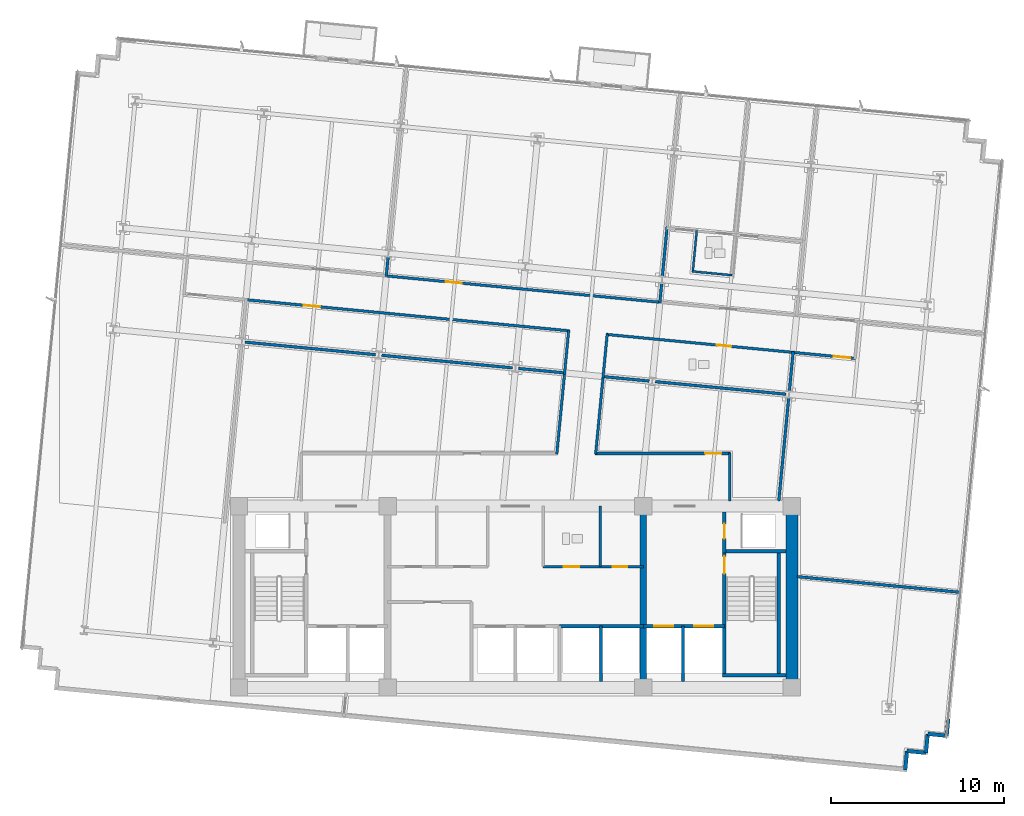
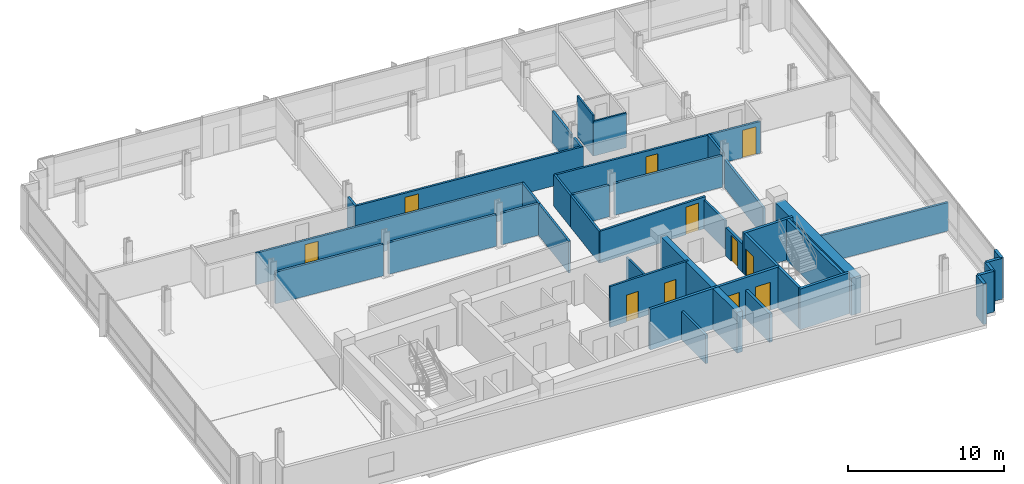
# One storey, part 11 of 16: 41 walls, 11 doors, 11 openings.
"""IFC4 building model written with IfcOpenShell, lengths in metres."""

from ifc_helpers import new_model, si_unit, direction, frame, frame_2d, origin, place, context, subcontext, project, spatial, rectangle, extrude, material, layer, layer_set, type_object, element, fill, save


model = new_model("IFC4")

# Units and contexts
model_context = context("Model", 3, precision=1e-05, world=origin(), true_north=direction((0.0, 1.0)))
body_context = subcontext(model_context, "Body", "Model", "MODEL_VIEW")
ifc_project = project(units=[si_unit("LENGTHUNIT", "METRE"), si_unit("AREAUNIT", "SQUARE_METRE"), si_unit("VOLUMEUNIT", "CUBIC_METRE"), si_unit("PLANEANGLEUNIT", "RADIAN"), si_unit("MASSUNIT", "GRAM", prefix="KILO")], contexts=[model_context])

# Site, building, storey
site_placement = place(None, origin())
site = spatial("IfcSite", under=ifc_project, at=site_placement, CompositionType="ELEMENT")
building_placement = place(site_placement, origin())
building = spatial("IfcBuilding", under=site, at=building_placement, Name="Solmavex Isthmus Hotel", CompositionType="ELEMENT")
storey_placement = place(building_placement, frame((0.0, 0.0, 166.949951171875)))
storey = spatial("IfcBuildingStorey", under=building, at=storey_placement, Name="L45", CompositionType="ELEMENT", Elevation=166.949951171875)

# Walls
ifc_material_1 = material(Name="Precast Concrete C40/50", Category="concrete")
ifc_layer_1 = layer(ifc_material_1, 0.25)
ifc_layer_set_1 = layer_set([ifc_layer_1], Name="Precast Concrete C40/50")
wall_type_1 = type_object("IfcWallType", Name="EW-TWR-250", PredefinedType="STANDARD", material=ifc_layer_set_1)
wall_1_placement = place(storey_placement, frame((25.0615234375, -14.804931640625, 0.0), z_axis=(0.0, 0.0, 1.0), x_axis=(-0.095914428506, -0.995389583231, 0.0)))
element("IfcWall", 1, at=wall_1_placement, inside=storey, type_object=wall_type_1, Name="Serrated Corner Facade Panel L45-21", PredefinedType="STANDARD", context=body_context, shape_type="SweptSolid", body=[
    extrude(rectangle(XDim=0.990234375, YDim=0.219970703125, at=frame_2d((0.4951171875, 0.0))), origin(), (0.0, 0.0, 1.0), 3.18994140625),
])
for number, where, z_axis, x_axis, name in (
    (2, (24.966552734375, -15.79052734375, 0.0), (0.0, 0.0, 1.0), (-0.995393156894, 0.095877334176, 0.0), "Serrated Corner Facade Panel L45-22"),
    (3, (23.87158203125, -15.68505859375, 0.0), (0.0, 0.0, 1.0), (-0.095877334176, -0.995393156894, 0.0), "Serrated Corner Facade Panel L45-23"),
    (4, (23.76611328125, -16.780029296875, 0.0), (0.0, 0.0, 1.0), (-0.995393156894, 0.095877334176, 0.0), "Serrated Corner Facade Panel L45-24"),
    (5, (22.671142578125, -16.674560546875, 0.0), (0.0, 0.0, 1.0), (-0.095657429048, -0.995414313875, 0.0), "Serrated Corner Facade Panel L45-25"),
):
    element("IfcWall", number, at=place(storey_placement, frame(where, z_axis=z_axis, x_axis=x_axis)), inside=storey, type_object=wall_type_1, Name=name, PredefinedType="STANDARD", context=body_context, shape_type="SweptSolid", body=[
        extrude(rectangle(XDim=1.10009765625, YDim=0.219970703125, at=frame_2d((0.550048828125, 0.0))), origin(), (0.0, 0.0, 1.0), 3.18994140625),
    ])
ifc_material_2 = material(Name="Gypsum plasterboard lining", Category="gypsum")
ifc_layer_2 = layer(ifc_material_2, 0.159912109375)
ifc_layer_set_2 = layer_set([ifc_layer_2], Name="Gypsum plasterboard lining")
wall_type_2 = type_object("IfcWallType", Name="IW-COMP-160", PredefinedType="PARTITIONING", material=ifc_layer_set_2)
for number, where, z_axis, x_axis, name in (
    (6, (-7.36865234375, 11.95849609375, 0.0), (0.0, 0.0, 1.0), (-0.095831494917, -0.995397571115, 0.0), "Interior Partition Wall W-L45-P019"),
    (7, (8.469970703125, 10.433349609375, 0.0), (0.0, 0.0, 1.0), (-0.095831494917, -0.995397571115, 0.0), "Interior Partition Wall W-L45-P023"),
):
    element("IfcWall", number, at=place(storey_placement, frame(where, z_axis=z_axis, x_axis=x_axis)), inside=storey, type_object=wall_type_2, Name=name, PredefinedType="PARTITIONING", context=body_context, shape_type="SweptSolid", body=[
        extrude(rectangle(XDim=1.171875, YDim=0.159912109375, at=frame_2d((0.5859375, 0.0))), origin(), (0.0, 0.0, 1.0), 2.4794921875),
    ])
wall_2_placement = place(storey_placement, frame((8.7822265625, 13.676513671875, 0.0), z_axis=(0.0, 0.0, 1.0), x_axis=(-0.095851667856, -0.995395628767, 0.0)))
element("IfcWall", 8, at=wall_2_placement, inside=storey, type_object=wall_type_2, Name="Interior Partition Wall W-L45-P024", PredefinedType="PARTITIONING", context=body_context, shape_type="SweptSolid", body=[
    extrude(rectangle(XDim=2.90625, YDim=0.159912109375, at=frame_2d((1.453125, 0.0))), origin(), (0.0, 0.0, 1.0), 2.4794921875),
])
wall_3_placement = place(storey_placement, frame((7.745361328125, 4.74462890625, 0.0), z_axis=(0.0, 0.0, 1.0), x_axis=(-0.995392910691, 0.095879890208, 0.0)))
element("IfcWall", 9, at=wall_3_placement, inside=storey, type_object=wall_type_2, Name="Interior Partition Wall W-L45-P039", PredefinedType="PARTITIONING", context=body_context, shape_type="SweptSolid", body=[
    extrude(rectangle(XDim=2.721923828125, YDim=0.159912109375, at=frame_2d((1.36083984375, 0.0))), origin(), (0.0, 0.0, 1.0), 2.4794921875),
])
wall_4_placement = place(storey_placement, frame((15.664794921875, 3.982177734375, 0.0), z_axis=(0.0, 0.0, 1.0), x_axis=(-0.995396667246, 0.095840882902, 0.0)))
element("IfcWall", 10, at=wall_4_placement, inside=storey, type_object=wall_type_2, Name="Interior Partition Wall W-L45-P040", PredefinedType="PARTITIONING", context=body_context, shape_type="SweptSolid", body=[
    extrude(rectangle(XDim=7.603759765625, YDim=0.159912109375, at=frame_2d((3.8017578125, 0.0))), origin(), (0.0, 0.0, 1.0), 2.4794921875),
])
wall_5_placement = place(storey_placement, frame((16.07861328125, 6.44384765625, 0.0), z_axis=(0.0, 0.0, 1.0), x_axis=(-0.095794827695, -0.995401100555, 0.0)))
element("IfcWall", 11, at=wall_5_placement, inside=storey, type_object=wall_type_2, Name="Interior Partition Wall W-L45-P041", PredefinedType="PARTITIONING", context=body_context, shape_type="SweptSolid", body=[
    extrude(rectangle(XDim=2.314208984375, YDim=0.159912109375, at=frame_2d((1.1572265625, 0.0))), origin(), (0.0, 0.0, 1.0), 2.4794921875),
])
for number, where, z_axis, x_axis, name in (
    (12, (-8.09326171875, 6.269775390625, 0.0), (0.0, 0.0, 1.0), (-0.995396962155, 0.095837819954, 0.0), "Interior Partition Wall W-L45-P042"),
    (13, (-0.173828125, 5.507080078125, 0.0), (0.0, 0.0, 1.0), (-0.995393898805, 0.095869631385, 0.0), "Interior Partition Wall W-L45-P043"),
):
    element("IfcWall", number, at=place(storey_placement, frame(where, z_axis=z_axis, x_axis=x_axis)), inside=storey, type_object=wall_type_2, Name=name, PredefinedType="PARTITIONING", context=body_context, shape_type="SweptSolid", body=[
        extrude(rectangle(XDim=7.60400390625, YDim=0.159912109375, at=frame_2d((3.802001953125, 0.0))), origin(), (0.0, 0.0, 1.0), 2.4794921875),
    ])
wall_6_placement = place(storey_placement, frame((2.885986328125, 5.212646484375, 0.0), z_axis=(0.0, 0.0, 1.0), x_axis=(-0.995401466761, 0.095791022391, 0.0)))
element("IfcWall", 14, at=wall_6_placement, inside=storey, type_object=wall_type_2, Name="Interior Partition Wall W-L45-P044", PredefinedType="PARTITIONING", context=body_context, shape_type="SweptSolid", body=[
    extrude(rectangle(XDim=2.721923828125, YDim=0.159912109375, at=frame_2d((1.36083984375, 0.0))), origin(), (0.0, 0.0, 1.0), 2.4794921875),
])
wall_7_placement = place(storey_placement, frame((15.8232421875, 3.7900390625, 0.0), z_axis=(0.0, 0.0, 1.0), x_axis=(-0.095865726078, -0.99539427493, 0.0)))
element("IfcWall", 15, at=wall_7_placement, inside=storey, type_object=wall_type_2, Name="Interior Partition Wall W-L45-P046", PredefinedType="PARTITIONING", context=body_context, shape_type="SweptSolid", body=[
    extrude(rectangle(XDim=6.007568359375, YDim=0.159912109375, at=frame_2d((3.00390625, 0.0))), origin(), (0.0, 0.0, 1.0), 2.22509765625),
])
wall_8_placement = place(storey_placement, frame((25.795654296875, -7.49169921875, 0.0), z_axis=(0.0, 0.0, 1.0), x_axis=(-0.995396487733, 0.095842747294, 0.0)))
element("IfcWall", 16, at=wall_8_placement, inside=storey, type_object=wall_type_2, Name="Interior Partition Wall W-L45-P049", PredefinedType="PARTITIONING", context=body_context, shape_type="SweptSolid", body=[
    extrude(rectangle(XDim=9.529541015625, YDim=0.159912109375, at=frame_2d((4.7646484375, 0.0))), origin(), (0.0, 0.0, 1.0), 2.22509765625),
])

# Wall, openings, doors
ifc_layer_3 = layer(ifc_material_2, 0.14990234375)
ifc_layer_set_3 = layer_set([ifc_layer_3], Name="Gypsum plasterboard lining")
wall_type_3 = type_object("IfcWallType", Name="IW-CORR-150", PredefinedType="PARTITIONING", material=ifc_layer_set_3)
wall_9_placement = place(storey_placement, frame((1.60009765625, -6.0, 0.0), z_axis=(0.0, 0.0, 1.0), x_axis=(1.0, 0.0, 0.0)))
wall_9 = element("IfcWall", 17, at=wall_9_placement, inside=storey, type_object=wall_type_3, Name="Interior Partition Wall W-L45-BOH-ES", PredefinedType="PARTITIONING", context=body_context, shape_type="SweptSolid", body=[
    extrude(rectangle(XDim=5.7998046875, YDim=0.14990234375, at=frame_2d((2.89990234375, 0.0))), origin(), (0.0, 0.0, 1.0), 3.18994140625),
])
opening_1_placement = place(wall_9_placement, frame((1.199951171875, 0.0, 0.0)))
opening_1 = element("IfcOpeningElement", 18, at=opening_1_placement, cuts=wall_9, Name="Opening ID-C090", PredefinedType="OPENING", context=body_context, shape_type="SweptSolid", body=[
    extrude(rectangle(XDim=0.89990234375, YDim=2.10009765625, at=frame_2d((0.449951171875, 1.050048828125))), frame((0.0, 0.0849609375, 0.0), z_axis=(0.0, -1.0, 0.0), x_axis=(1.0, 0.0, 0.0)), (0.0, 0.0, 1.0), 0.169921875),
])
opening_2_placement = place(wall_9_placement, frame((4.02490234375, 0.0, 0.0)))
opening_2 = element("IfcOpeningElement", 19, at=opening_2_placement, cuts=wall_9, Name="Opening ID-R085", PredefinedType="OPENING", context=body_context, shape_type="SweptSolid", body=[
    extrude(rectangle(XDim=0.85009765625, YDim=2.050048828125, at=frame_2d((0.425048828125, 1.02490234375))), frame((0.0, 0.0849609375, 0.0), z_axis=(0.0, -1.0, 0.0), x_axis=(1.0, 0.0, 0.0)), (0.0, 0.0, 1.0), 0.169921875),
])
ifc_material_3 = material(Name="Steel ASTM A500 Grade C", Category="steel")
door_type_1 = type_object("IfcDoorType", Name="IDR-FD60-0850", OperationType="NOTDEFINED", PredefinedType="DOOR", material=ifc_material_3)
door_1_placement = place(opening_2_placement, frame((0.85009765625, 0.0, 0.0), z_axis=(0.0, 0.0, 1.0), x_axis=(-1.0, 0.0, 0.0)))
door_1 = element("IfcDoor", 20, at=door_1_placement, inside=storey, type_object=door_type_1, Name="IT Room Door L45", OperationType="SINGLE_SWING_RIGHT", OverallHeight=2.050048828125, OverallWidth=0.85009765625, PredefinedType="DOOR", context=body_context, shape_type="SweptSolid", body=[
    extrude(rectangle(XDim=0.85009765625, YDim=2.050048828125, at=frame_2d((0.425048828125, 1.02490234375))), frame((0.0, 0.02490234375, 0.0), z_axis=(0.0, -1.0, 0.0), x_axis=(1.0, 0.0, 0.0)), (0.0, 0.0, 1.0), 0.050048828125),
])
fill(opening_2, door_1)
ifc_material_4 = material(Name="Hardwood timber", Category="wood")
door_type_2 = type_object("IfcDoorType", Name="IDR-FD60-0900", OperationType="NOTDEFINED", PredefinedType="DOOR", material=ifc_material_4)
door_2_placement = place(opening_1_placement, frame((0.89990234375, 0.0, 0.0), z_axis=(0.0, 0.0, 1.0), x_axis=(-1.0, 0.0, 0.0)))
door_2 = element("IfcDoor", 21, at=door_2_placement, inside=storey, type_object=door_type_2, Name="Staff Restroom Door L45", OperationType="SINGLE_SWING_LEFT", OverallHeight=2.10009765625, OverallWidth=0.89990234375, PredefinedType="DOOR", context=body_context, shape_type="SweptSolid", body=[
    extrude(rectangle(XDim=0.89990234375, YDim=2.10009765625, at=frame_2d((0.449951171875, 1.050048828125))), frame((0.0, 0.02490234375, 0.0), z_axis=(0.0, -1.0, 0.0), x_axis=(1.0, 0.0, 0.0)), (0.0, 0.0, 1.0), 0.050048828125),
])
fill(opening_1, door_2)

# Wall, opening, door
wall_10_placement = place(storey_placement, frame((-7.558837890625, 10.839599609375, 0.0), z_axis=(0.0, 0.0, 1.0), x_axis=(0.995396443768, -0.095843203903, 0.0)))
wall_10 = element("IfcWall", 22, at=wall_10_placement, inside=storey, type_object=wall_type_3, Name="Interior Partition Wall W-L45-P002", PredefinedType="PARTITIONING", context=body_context, shape_type="SweptSolid", body=[
    extrude(rectangle(XDim=16.075927734375, YDim=0.14990234375, at=frame_2d((8.0380859375, 0.0))), origin(), (0.0, 0.0, 1.0), 2.4794921875),
])
opening_3_placement = place(wall_10_placement, frame((3.531982421875, 0.0, 0.0)))
opening_3 = element("IfcOpeningElement", 23, at=opening_3_placement, cuts=wall_10, Name="Opening ID-C095", PredefinedType="OPENING", context=body_context, shape_type="SweptSolid", body=[
    extrude(rectangle(XDim=0.949951171875, YDim=2.14990234375, at=frame_2d((0.47509765625, 1.074951171875))), frame((0.0, 0.0849609375, 0.0), z_axis=(0.0, -1.0, 0.0), x_axis=(1.0, 0.0, 0.0)), (0.0, 0.0, 1.0), 0.169921875),
])
door_type_3 = type_object("IfcDoorType", Name="IDR-FD60-0950", OperationType="NOTDEFINED", PredefinedType="DOOR", material=ifc_material_4)
door_3_placement = place(opening_3_placement, frame((0.949951171875, 0.0, 0.0), z_axis=(0.0, 0.0, 1.0), x_axis=(-1.0, 0.0, 0.0)))
door_3 = element("IfcDoor", 24, at=door_3_placement, inside=storey, type_object=door_type_3, Name="Corporate Briefing Office Door L45-02", OperationType="SINGLE_SWING_RIGHT", OverallHeight=2.14990234375, OverallWidth=0.949951171875, PredefinedType="DOOR", context=body_context, shape_type="SweptSolid", body=[
    extrude(rectangle(XDim=0.949951171875, YDim=2.14990234375, at=frame_2d((0.47509765625, 1.074951171875))), frame((0.0, 0.02490234375, 0.0), z_axis=(0.0, -1.0, 0.0), x_axis=(1.0, 0.0, 0.0)), (0.0, 0.0, 1.0), 0.050048828125),
])
fill(opening_3, door_3)

wall_11_placement = place(storey_placement, frame((16.156494140625, 6.39599609375, 0.0), z_axis=(0.0, 0.0, 1.0), x_axis=(-0.99539478422, 0.095860437863, 0.0)))
wall_11 = element("IfcWall", 25, at=wall_11_placement, inside=storey, type_object=wall_type_3, Name="Interior Partition Wall W-L45-P005", PredefinedType="PARTITIONING", context=body_context, shape_type="SweptSolid", body=[
    extrude(rectangle(XDim=10.93603515625, YDim=0.14990234375, at=frame_2d((5.468017578125, 0.0))), origin(), (0.0, 0.0, 1.0), 2.4794921875),
])
opening_4_placement = place(wall_11_placement, frame((3.675048828125, 0.0, 0.0)))
opening_4 = element("IfcOpeningElement", 26, at=opening_4_placement, cuts=wall_11, Name="Opening ID-R085", PredefinedType="OPENING", context=body_context, shape_type="SweptSolid", body=[
    extrude(rectangle(XDim=0.85009765625, YDim=2.050048828125, at=frame_2d((0.425048828125, 1.02490234375))), frame((0.0, 0.0849609375, 0.0), z_axis=(0.0, -1.0, 0.0), x_axis=(1.0, 0.0, 0.0)), (0.0, 0.0, 1.0), 0.169921875),
])
door_4_placement = place(opening_4_placement, frame((0.85009765625, 0.0, 0.0), z_axis=(0.0, 0.0, 1.0), x_axis=(-1.0, 0.0, 0.0)))
door_4 = element("IfcDoor", 27, at=door_4_placement, inside=storey, type_object=door_type_1, Name="Accessible Public Restroom WC Door L45-08", OperationType="SINGLE_SWING_RIGHT", OverallHeight=2.050048828125, OverallWidth=0.85009765625, PredefinedType="DOOR", context=body_context, shape_type="SweptSolid", body=[
    extrude(rectangle(XDim=0.85009765625, YDim=2.050048828125, at=frame_2d((0.425048828125, 1.02490234375))), frame((0.0, 0.02490234375, 0.0), z_axis=(0.0, -1.0, 0.0), x_axis=(1.0, 0.0, 0.0)), (0.0, 0.0, 1.0), 0.050048828125),
])
fill(opening_4, door_4)

# Walls
for number, where, z_axis, x_axis, name in (
    (28, (5.314453125, 7.480224609375, 0.0), (0.0, 0.0, 1.0), (-0.09587519517, -0.995393362923, 0.0), "Interior Partition Wall W-L45-P006"),
    (29, (2.83837890625, 5.134765625, 0.0), (0.0, 0.0, 1.0), (0.095772090971, 0.995403288417, 0.0), "Interior Partition Wall W-L45-P007"),
):
    element("IfcWall", number, at=place(storey_placement, frame(where, z_axis=z_axis, x_axis=x_axis)), inside=storey, type_object=wall_type_3, Name=name, PredefinedType="PARTITIONING", context=body_context, shape_type="SweptSolid", body=[
        extrude(rectangle(XDim=2.572021484375, YDim=0.14990234375, at=frame_2d((1.2861328125, 0.0))), origin(), (0.0, 0.0, 1.0), 2.4794921875),
    ])

# Wall, opening, door
wall_12_placement = place(storey_placement, frame((3.120849609375, 7.6513671875, 0.0), z_axis=(0.0, 0.0, 1.0), x_axis=(-0.995397135603, 0.095836018457, 0.0)))
wall_12 = element("IfcWall", 30, at=wall_12_placement, inside=storey, type_object=wall_type_3, Name="Interior Partition Wall W-L45-P008", PredefinedType="PARTITIONING", context=body_context, shape_type="SweptSolid", body=[
    extrude(rectangle(XDim=18.89208984375, YDim=0.14990234375, at=frame_2d((9.446044921875, 0.0))), origin(), (0.0, 0.0, 1.0), 2.4794921875),
])
opening_5_placement = place(wall_12_placement, frame((14.501708984375, 0.0, 0.0)))
opening_5 = element("IfcOpeningElement", 31, at=opening_5_placement, cuts=wall_12, Name="Opening ID-C095", PredefinedType="OPENING", context=body_context, shape_type="SweptSolid", body=[
    extrude(rectangle(XDim=0.949951171875, YDim=2.14990234375, at=frame_2d((0.47509765625, 1.074951171875))), frame((0.0, 0.0849609375, 0.0), z_axis=(0.0, -1.0, 0.0), x_axis=(1.0, 0.0, 0.0)), (0.0, 0.0, 1.0), 0.169921875),
])
door_5_placement = place(opening_5_placement, frame((0.949951171875, 0.0, 0.0), z_axis=(0.0, 0.0, 1.0), x_axis=(-1.0, 0.0, 0.0)))
door_5 = element("IfcDoor", 32, at=door_5_placement, inside=storey, type_object=door_type_3, Name="Private Dining Room Door L45-09", OperationType="SINGLE_SWING_LEFT", OverallHeight=2.14990234375, OverallWidth=0.949951171875, PredefinedType="DOOR", context=body_context, shape_type="SweptSolid", body=[
    extrude(rectangle(XDim=0.949951171875, YDim=2.14990234375, at=frame_2d((0.47509765625, 1.074951171875))), frame((0.0, 0.02490234375, 0.0), z_axis=(0.0, -1.0, 0.0), x_axis=(1.0, 0.0, 0.0)), (0.0, 0.0, 1.0), 0.050048828125),
])
fill(opening_5, door_5)

# Wall
wall_13_placement = place(storey_placement, frame((5.083740234375, 5.083251953125, 0.0), z_axis=(0.0, 0.0, 1.0), x_axis=(-0.095867331855, -0.995394120277, 0.0)))
element("IfcWall", 33, at=wall_13_placement, inside=storey, type_object=wall_type_3, Name="Interior Partition Wall W-L45-P009", PredefinedType="PARTITIONING", context=body_context, shape_type="SweptSolid", body=[
    extrude(rectangle(XDim=4.59423828125, YDim=0.14990234375, at=frame_2d((2.297119140625, 0.0))), origin(), (0.0, 0.0, 1.0), 2.4794921875),
])

# Wall, opening, door
wall_14_placement = place(storey_placement, frame((4.607177734375, 0.550048828125, 0.0), z_axis=(0.0, 0.0, 1.0), x_axis=(1.0, 0.0, 0.0)))
wall_14 = element("IfcWall", 34, at=wall_14_placement, inside=storey, type_object=wall_type_3, Name="Interior Partition Wall W-L45-P010", PredefinedType="PARTITIONING", context=body_context, shape_type="SweptSolid", body=[
    extrude(rectangle(XDim=7.832763671875, YDim=0.14990234375, at=frame_2d((3.91650390625, 0.0))), origin(), (0.0, 0.0, 1.0), 2.4794921875),
])
opening_6_placement = place(wall_14_placement, frame((6.3720703125, 0.0, 0.0)))
opening_6 = element("IfcOpeningElement", 35, at=opening_6_placement, cuts=wall_14, Name="Opening ID-C095", PredefinedType="OPENING", context=body_context, shape_type="SweptSolid", body=[
    extrude(rectangle(XDim=0.949951171875, YDim=2.14990234375, at=frame_2d((0.47509765625, 1.074951171875))), frame((0.0, 0.0849609375, 0.0), z_axis=(0.0, -1.0, 0.0), x_axis=(1.0, 0.0, 0.0)), (0.0, 0.0, 1.0), 0.169921875),
])
door_6_placement = place(opening_6_placement, origin())
door_6 = element("IfcDoor", 36, at=door_6_placement, inside=storey, type_object=door_type_3, Name="Catering Servery Kitchen Door L45-10", OperationType="SINGLE_SWING_RIGHT", OverallHeight=2.14990234375, OverallWidth=0.949951171875, PredefinedType="DOOR", context=body_context, shape_type="SweptSolid", body=[
    extrude(rectangle(XDim=0.949951171875, YDim=2.14990234375, at=frame_2d((0.47509765625, 1.074951171875))), frame((0.0, 0.02490234375, 0.0), z_axis=(0.0, -1.0, 0.0), x_axis=(1.0, 0.0, 0.0)), (0.0, 0.0, 1.0), 0.050048828125),
])
fill(opening_6, door_6)

# Walls
wall_15_placement = place(storey_placement, frame((12.39990234375, 0.590087890625, 0.0), z_axis=(0.0, 0.0, 1.0), x_axis=(0.0, -1.0, 0.0)))
element("IfcWall", 37, at=wall_15_placement, inside=storey, type_object=wall_type_3, Name="Interior Partition Wall W-L45-P011", PredefinedType="PARTITIONING", context=body_context, shape_type="SweptSolid", body=[
    extrude(rectangle(XDim=2.780029296875, YDim=0.14990234375, at=frame_2d((1.39013671875, 0.0))), origin(), (0.0, 0.0, 1.0), 2.22509765625),
])
wall_16_placement = place(storey_placement, frame((2.39306640625, 0.51025390625, 0.0), z_axis=(0.0, 0.0, 1.0), x_axis=(0.095829431913, 0.995397769728, 0.0)))
element("IfcWall", 38, at=wall_16_placement, inside=storey, type_object=wall_type_3, Name="Interior Partition Wall W-L45-P014", PredefinedType="PARTITIONING", context=body_context, shape_type="SweptSolid", body=[
    extrude(rectangle(XDim=4.81005859375, YDim=0.14990234375, at=frame_2d((2.405029296875, 0.0))), origin(), (0.0, 0.0, 1.0), 2.4794921875),
])

# Wall, opening, door
wall_17_placement = place(storey_placement, frame((19.697998046875, 6.05517578125, 0.0), z_axis=(0.0, 0.0, 1.0), x_axis=(-0.995397364202, 0.095833644092, 0.0)))
wall_17 = element("IfcWall", 39, at=wall_17_placement, inside=storey, type_object=wall_type_3, Name="Interior Partition Wall W-L45-P016", PredefinedType="PARTITIONING", context=body_context, shape_type="SweptSolid", body=[
    extrude(rectangle(XDim=3.721923828125, YDim=0.14990234375, at=frame_2d((1.86083984375, 0.0))), origin(), (0.0, 0.0, 1.0), 2.4794921875),
])
opening_7_placement = place(wall_17_placement, frame((0.315185546875, 0.0, 0.0)))
opening_7 = element("IfcOpeningElement", 40, at=opening_7_placement, cuts=wall_17, Name="Opening ID-C095", PredefinedType="OPENING", context=body_context, shape_type="SweptSolid", body=[
    extrude(rectangle(XDim=0.949951171875, YDim=2.14990234375, at=frame_2d((0.47509765625, 1.074951171875))), frame((0.0, 0.0849609375, 0.0), z_axis=(0.0, -1.0, 0.0), x_axis=(1.0, 0.0, 0.0)), (0.0, 0.0, 1.0), 0.169921875),
])
door_7_placement = place(opening_7_placement, frame((0.949951171875, 0.0, 0.0), z_axis=(0.0, 0.0, 1.0), x_axis=(-1.0, 0.0, 0.0)))
door_7 = element("IfcDoor", 41, at=door_7_placement, inside=storey, type_object=door_type_3, Name="Corporate Briefing Office Door L45-12", OperationType="SINGLE_SWING_RIGHT", OverallHeight=2.14990234375, OverallWidth=0.949951171875, PredefinedType="DOOR", context=body_context, shape_type="SweptSolid", body=[
    extrude(rectangle(XDim=0.949951171875, YDim=2.14990234375, at=frame_2d((0.47509765625, 1.074951171875))), frame((0.0, 0.02490234375, 0.0), z_axis=(0.0, -1.0, 0.0), x_axis=(1.0, 0.0, 0.0)), (0.0, 0.0, 1.0), 0.050048828125),
])
fill(opening_7, door_7)

# Walls
ifc_layer_4 = layer(ifc_material_2, 0.1201171875)
ifc_layer_set_4 = layer_set([ifc_layer_4], Name="Gypsum plasterboard lining")
wall_type_4 = type_object("IfcWallType", Name="IW-PART-120", PredefinedType="PARTITIONING", material=ifc_layer_set_4)
wall_18_placement = place(storey_placement, frame((4.89990234375, -6.0, 0.0), z_axis=(0.0, 0.0, 1.0), x_axis=(0.0, 1.0, 0.0)))
element("IfcWall", 42, at=wall_18_placement, inside=storey, type_object=wall_type_4, Name="Interior Partition Wall W-L45-BOH-EM2", PredefinedType="PARTITIONING", context=body_context, shape_type="SweptSolid", body=[
    extrude(rectangle(XDim=3.5, YDim=0.14990234375, at=frame_2d((1.75, 0.0))), origin(), (0.0, 0.0, 1.0), 2.22509765625),
])
wall_19_placement = place(storey_placement, frame((10.498291015625, 13.468994140625, 0.0), z_axis=(0.0, 0.0, 1.0), x_axis=(-0.095842578202, -0.995396504014, 0.0)))
element("IfcWall", 43, at=wall_19_placement, inside=storey, type_object=wall_type_4, Name="Interior Partition Wall W-L45-P029", PredefinedType="PARTITIONING", context=body_context, shape_type="SweptSolid", body=[
    extrude(rectangle(XDim=2.43017578125, YDim=0.1201171875, at=frame_2d((1.215087890625, 0.0))), origin(), (0.0, 0.0, 1.0), 3.18994140625),
])
wall_20_placement = place(storey_placement, frame((10.2294921875, 11.09375, 0.0), z_axis=(0.0, 0.0, 1.0), x_axis=(0.995403652262, -0.095768309281, 0.0)))
element("IfcWall", 44, at=wall_20_placement, inside=storey, type_object=wall_type_4, Name="Interior Partition Wall W-L45-P030", PredefinedType="PARTITIONING", context=body_context, shape_type="SweptSolid", body=[
    extrude(rectangle(XDim=2.330078125, YDim=0.1201171875, at=frame_2d((1.1650390625, 0.0))), origin(), (0.0, 0.0, 1.0), 2.71826171875),
])
ifc_material_5 = material(Name="Concrete C40/50", Category="concrete")
ifc_layer_5 = layer(ifc_material_5, 0.179931640625)
ifc_layer_set_5 = layer_set([ifc_layer_5], Name="Concrete C40/50")
wall_type_5 = type_object("IfcWallType", Name="IW-SHAFT-180", PredefinedType="PARTITIONING", material=ifc_layer_set_5)
wall_21_placement = place(storey_placement, frame((4.949951171875, -12.64990234375, 0.0), z_axis=(0.0, 0.0, 1.0), x_axis=(0.0, 1.0, 0.0)))
element("IfcWall", 45, at=wall_21_placement, inside=storey, type_object=wall_type_5, Name="Interior Partition Wall W-L45-SH-PLH-M", PredefinedType="PARTITIONING", context=body_context, shape_type="SweptSolid", body=[
    extrude(rectangle(XDim=3.199951171875, YDim=0.179931640625, at=frame_2d((1.60009765625, 0.0))), origin(), (0.0, 0.0, 1.0), 2.22509765625),
])

# Wall, opening, door
ifc_layer_6 = layer(ifc_material_5, 0.199951171875)
ifc_layer_set_6 = layer_set([ifc_layer_6], Name="Concrete C40/50")
wall_type_6 = type_object("IfcWallType", Name="IW-SHAFT-200", PredefinedType="PARTITIONING", material=ifc_layer_set_6)
wall_22_placement = place(storey_placement, frame((12.10009765625, -5.199951171875, 0.0), z_axis=(0.0, 0.0, 1.0), x_axis=(0.0, 1.0, 0.0)))
wall_22 = element("IfcWall", 46, at=wall_22_placement, inside=storey, type_object=wall_type_6, Name="Interior Partition Wall W-L45-RSE-W", PredefinedType="PARTITIONING", context=body_context, shape_type="SweptSolid", body=[
    extrude(rectangle(XDim=2.349853515625, YDim=0.199951171875, at=frame_2d((1.1748046875, 0.0))), origin(), (0.0, 0.0, 1.0), 2.22509765625),
])
opening_8_placement = place(wall_22_placement, frame((0.824951171875, 0.0, 0.0)))
opening_8 = element("IfcOpeningElement", 47, at=opening_8_placement, cuts=wall_22, Name="Opening ID-R085", PredefinedType="OPENING", context=body_context, shape_type="SweptSolid", body=[
    extrude(rectangle(XDim=0.85009765625, YDim=2.050048828125, at=frame_2d((0.425048828125, 1.02490234375))), frame((0.0, 0.10986328125, 0.0), z_axis=(0.0, -1.0, 0.0), x_axis=(1.0, 0.0, 0.0)), (0.0, 0.0, 1.0), 0.219970703125),
])
door_8_placement = place(opening_8_placement, frame((0.85009765625, 0.0, 0.0), z_axis=(0.0, 0.0, 1.0), x_axis=(-1.0, 0.0, 0.0)))
door_8 = element("IfcDoor", 48, at=door_8_placement, inside=storey, type_object=door_type_1, Name="Mechanical Riser Door L45", OperationType="SINGLE_SWING_LEFT", OverallHeight=2.050048828125, OverallWidth=0.85009765625, PredefinedType="DOOR", context=body_context, shape_type="SweptSolid", body=[
    extrude(rectangle(XDim=0.85009765625, YDim=2.050048828125, at=frame_2d((0.425048828125, 1.02490234375))), frame((0.0, 0.02490234375, 0.0), z_axis=(0.0, -1.0, 0.0), x_axis=(1.0, 0.0, 0.0)), (0.0, 0.0, 1.0), 0.050048828125),
])
fill(opening_8, door_8)

# Wall, openings, doors
wall_23_placement = place(storey_placement, frame((7.39990234375, -9.449951171875, 0.0), z_axis=(0.0, 0.0, 1.0), x_axis=(1.0, 0.0, 0.0)))
wall_23 = element("IfcWall", 49, at=wall_23_placement, inside=storey, type_object=wall_type_6, Name="Interior Partition Wall W-L45-FFLE-S", PredefinedType="PARTITIONING", context=body_context, shape_type="SweptSolid", body=[
    extrude(rectangle(XDim=4.7001953125, YDim=0.199951171875, at=frame_2d((2.35009765625, 0.0))), origin(), (0.0, 0.0, 1.0), 3.18994140625),
])
opening_9_placement = place(wall_23_placement, frame((2.949951171875, 0.0, 0.0)))
opening_9 = element("IfcOpeningElement", 50, at=opening_9_placement, cuts=wall_23, Name="Opening LD-FF", PredefinedType="OPENING", context=body_context, shape_type="SweptSolid", body=[
    extrude(rectangle(XDim=1.10009765625, YDim=2.199951171875, at=frame_2d((0.550048828125, 1.10009765625))), frame((0.0, 0.10986328125, 0.0), z_axis=(0.0, -1.0, 0.0), x_axis=(1.0, 0.0, 0.0)), (0.0, 0.0, 1.0), 0.219970703125),
])
opening_10_placement = place(wall_23_placement, frame((0.64990234375, 0.0, 0.0)))
opening_10 = element("IfcOpeningElement", 51, at=opening_10_placement, cuts=wall_23, Name="Opening LD-SV", PredefinedType="OPENING", context=body_context, shape_type="SweptSolid", body=[
    extrude(rectangle(XDim=1.10009765625, YDim=2.199951171875, at=frame_2d((0.550048828125, 1.10009765625))), frame((0.0, 0.10986328125, 0.0), z_axis=(0.0, -1.0, 0.0), x_axis=(1.0, 0.0, 0.0)), (0.0, 0.0, 1.0), 0.219970703125),
])
ifc_material_6 = material(Name="Stainless steel 316", Category="steel")
door_type_4 = type_object("IfcDoorType", Name="LDR-FF-1100", OperationType="NOTDEFINED", PredefinedType="DOOR", material=ifc_material_6)
door_9_placement = place(opening_9_placement, origin())
door_9 = element("IfcDoor", 52, at=door_9_placement, inside=storey, type_object=door_type_4, Name="Lift Landing Door FFL-2 L45", OperationType="SLIDING_TO_LEFT", OverallHeight=2.199951171875, OverallWidth=1.10009765625, PredefinedType="DOOR", context=body_context, shape_type="SweptSolid", body=[
    extrude(rectangle(XDim=1.10009765625, YDim=2.199951171875, at=frame_2d((0.550048828125, 1.10009765625))), frame((0.0, 0.02490234375, 0.0), z_axis=(0.0, -1.0, 0.0), x_axis=(1.0, 0.0, 0.0)), (0.0, 0.0, 1.0), 0.050048828125),
])
fill(opening_9, door_9)
door_type_5 = type_object("IfcDoorType", Name="LDR-SV-1100", OperationType="NOTDEFINED", PredefinedType="DOOR", material=ifc_material_6)
door_10_placement = place(opening_10_placement, origin())
door_10 = element("IfcDoor", 53, at=door_10_placement, inside=storey, type_object=door_type_5, Name="Lift Landing Door SVL-2 L45", OperationType="SLIDING_TO_RIGHT", OverallHeight=2.199951171875, OverallWidth=1.10009765625, PredefinedType="DOOR", context=body_context, shape_type="SweptSolid", body=[
    extrude(rectangle(XDim=1.10009765625, YDim=2.199951171875, at=frame_2d((0.550048828125, 1.10009765625))), frame((0.0, 0.02490234375, 0.0), z_axis=(0.0, -1.0, 0.0), x_axis=(1.0, 0.0, 0.0)), (0.0, 0.0, 1.0), 0.050048828125),
])
fill(opening_10, door_10)

# Walls
wall_24_placement = place(storey_placement, frame((9.699951171875, -12.64990234375, 0.0), z_axis=(0.0, 0.0, 1.0), x_axis=(0.0, 1.0, 0.0)))
element("IfcWall", 54, at=wall_24_placement, inside=storey, type_object=wall_type_6, Name="Interior Partition Wall W-L45-FFLE-M", PredefinedType="PARTITIONING", context=body_context, shape_type="SweptSolid", body=[
    extrude(rectangle(XDim=3.199951171875, YDim=0.199951171875, at=frame_2d((1.60009765625, 0.0))), origin(), (0.0, 0.0, 1.0), 2.22509765625),
])
wall_25_placement = place(storey_placement, frame((2.550048828125, -9.449951171875, 0.0), z_axis=(0.0, 0.0, 1.0), x_axis=(1.0, 0.0, 0.0)))
element("IfcWall", 55, at=wall_25_placement, inside=storey, type_object=wall_type_6, Name="Interior Partition Wall W-L45-SH-PLH", PredefinedType="PARTITIONING", context=body_context, shape_type="SweptSolid", body=[
    extrude(rectangle(XDim=4.849853515625, YDim=0.199951171875, at=frame_2d((2.4248046875, 0.0))), origin(), (0.0, 0.0, 1.0), 3.18994140625),
])
ifc_material_7 = material(Name="Concrete C60/75", Category="concrete")
ifc_layer_7 = layer(ifc_material_7, 0.39990234375)
ifc_layer_set_7 = layer_set([ifc_layer_7], Name="Concrete C60/75")
wall_type_7 = type_object("IfcWallType", Name="WALL-CW-400M", PredefinedType="SHEAR", material=ifc_layer_set_7)
wall_26_placement = place(storey_placement, frame((7.39990234375, -12.64990234375, 0.0), z_axis=(0.0, 0.0, 1.0), x_axis=(0.0, 1.0, 0.0)))
element("IfcWall", 56, at=wall_26_placement, inside=storey, type_object=wall_type_7, Name="Core Cross Shear Wall C2 L45", PredefinedType="SHEAR", context=body_context, shape_type="SweptSolid", body=[
    extrude(rectangle(XDim=9.7998046875, YDim=0.39990234375, at=frame_2d((4.89990234375, 0.0))), origin(), (0.0, 0.0, 1.0), 3.18994140625),
])
ifc_layer_8 = layer(ifc_material_7, 0.699951171875)
ifc_layer_set_8 = layer_set([ifc_layer_8], Name="Concrete C60/75")
wall_type_8 = type_object("IfcWallType", Name="WALL-CW-700", PredefinedType="SHEAR", material=ifc_layer_set_8)
wall_27_placement = place(storey_placement, frame((16.0, -12.64990234375, 0.0), z_axis=(0.0, 0.0, 1.0), x_axis=(0.0, 1.0, 0.0)))
element("IfcWall", 57, at=wall_27_placement, inside=storey, type_object=wall_type_8, Name="Core Shear Wall East L45", PredefinedType="SHEAR", context=body_context, shape_type="SweptSolid", body=[
    extrude(rectangle(XDim=9.7998046875, YDim=0.699951171875, at=frame_2d((4.89990234375, 0.0))), origin(), (0.0, 0.0, 1.0), 2.91015625),
])
ifc_layer_9 = layer(ifc_material_5, 0.199951171875)
ifc_layer_set_9 = layer_set([ifc_layer_9], Name="Concrete C40/50")
wall_type_9 = type_object("IfcWallType", Name="WALL-SW-200", PredefinedType="SOLIDWALL", material=ifc_layer_set_9)
for number, where, z_axis, x_axis, name in (
    (58, (12.0, -12.300048828125, 0.0), (0.0, 0.0, 1.0), (1.0, 0.0, 0.0), "Stairwell Structural Wall SW-L45-ST2-S"),
    (59, (12.0, -5.10009765625, 0.0), (0.0, 0.0, 1.0), (1.0, 0.0, 0.0), "Stairwell Structural Wall SW-L45-ST2-N"),
):
    element("IfcWall", number, at=place(storey_placement, frame(where, z_axis=z_axis, x_axis=x_axis)), inside=storey, type_object=wall_type_9, Name=name, PredefinedType="SOLIDWALL", context=body_context, shape_type="SweptSolid", body=[
        extrude(rectangle(XDim=3.64990234375, YDim=0.199951171875, at=frame_2d((1.824951171875, 0.0))), origin(), (0.0, 0.0, 1.0), 3.18994140625),
    ])

# Wall, opening, door
wall_28_placement = place(storey_placement, frame((12.10009765625, -12.199951171875, 0.0), z_axis=(0.0, 0.0, 1.0), x_axis=(0.0, 1.0, 0.0)))
wall_28 = element("IfcWall", 60, at=wall_28_placement, inside=storey, type_object=wall_type_9, Name="Stairwell Structural Wall SW-L45-ST2-W", PredefinedType="SOLIDWALL", context=body_context, shape_type="SweptSolid", body=[
    extrude(rectangle(XDim=7.0, YDim=0.199951171875, at=frame_2d((3.5, 0.0))), origin(), (0.0, 0.0, 1.0), 3.18994140625),
])
opening_11_placement = place(wall_28_placement, frame((5.800048828125, 0.0, 0.0)))
opening_11 = element("IfcOpeningElement", 61, at=opening_11_placement, cuts=wall_28, Name="Opening ID-F100", PredefinedType="OPENING", context=body_context, shape_type="SweptSolid", body=[
    extrude(rectangle(XDim=1.0, YDim=2.10009765625, at=frame_2d((0.5, 1.050048828125))), frame((0.0, 0.10986328125, 0.0), z_axis=(0.0, -1.0, 0.0), x_axis=(1.0, 0.0, 0.0)), (0.0, 0.0, 1.0), 0.219970703125),
])
door_type_6 = type_object("IfcDoorType", Name="IDR-FD90-1000", OperationType="NOTDEFINED", PredefinedType="DOOR", material=ifc_material_3)
door_11_placement = place(opening_11_placement, origin())
door_11 = element("IfcDoor", 62, at=door_11_placement, inside=storey, type_object=door_type_6, Name="Stair ST-2 Fire Door L45", OperationType="SINGLE_SWING_RIGHT", OverallHeight=2.10009765625, OverallWidth=1.0, PredefinedType="DOOR", context=body_context, shape_type="SweptSolid", body=[
    extrude(rectangle(XDim=1.0, YDim=2.10009765625, at=frame_2d((0.5, 1.050048828125))), frame((0.0, 0.02490234375, 0.0), z_axis=(0.0, -1.0, 0.0), x_axis=(1.0, 0.0, 0.0)), (0.0, 0.0, 1.0), 0.050048828125),
])
fill(opening_11, door_11)

# Wall
wall_29_placement = place(storey_placement, frame((15.25, -12.199951171875, 0.0), z_axis=(0.0, 0.0, 1.0), x_axis=(0.0, 1.0, 0.0)))
element("IfcWall", 63, at=wall_29_placement, inside=storey, type_object=wall_type_9, Name="Stairwell Structural Wall SW-L45-ST2-E", PredefinedType="SOLIDWALL", context=body_context, shape_type="SweptSolid", body=[
    extrude(rectangle(XDim=7.0, YDim=0.199951171875, at=frame_2d((3.5, 0.0))), origin(), (0.0, 0.0, 1.0), 3.18994140625),
])

save(model, "model.ifc")
